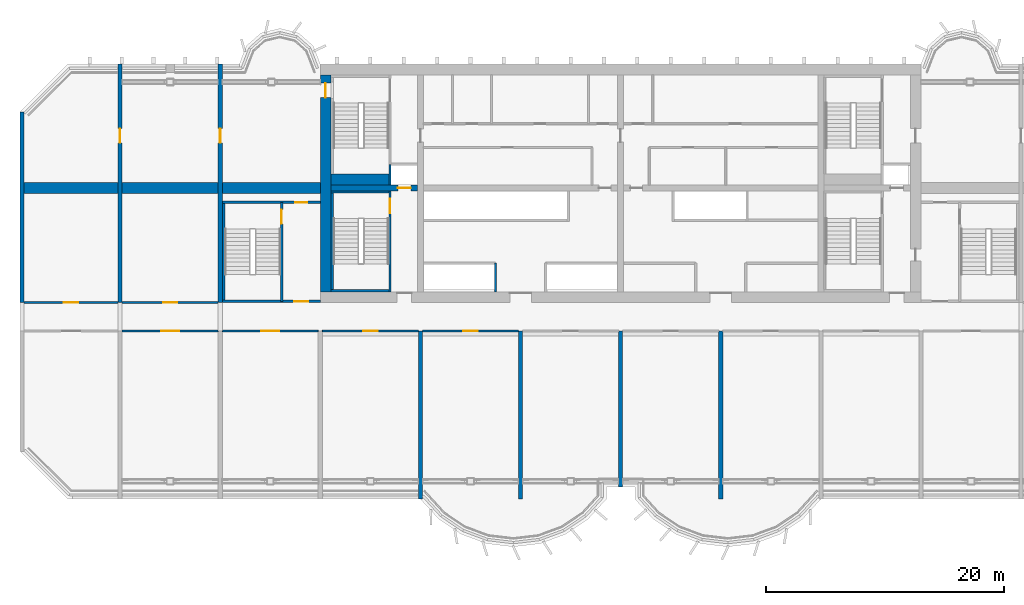
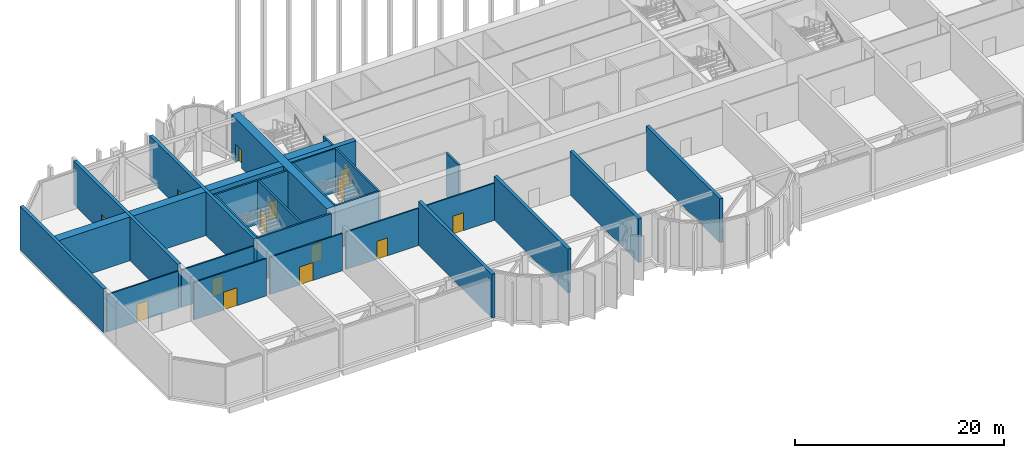
# One storey, part 5 of 17: 29 walls, 14 doors, 14 openings.
"""IFC4 building model written with IfcOpenShell, lengths in metres."""

from ifc_helpers import new_model, si_unit, direction, frame, frame_2d, origin, place, context, subcontext, project, spatial, rectangle, extrude, source, transform, mapped, material, layer, layer_set, type_object, element, fill, save


model = new_model("IFC4")

# Units and contexts
model_context = context("Model", 3, precision=1e-05, world=origin(), true_north=direction((0.0, 1.0)))
body_context = subcontext(model_context, "Body", "Model", "MODEL_VIEW")
ifc_project = project(units=[si_unit("LENGTHUNIT", "METRE"), si_unit("AREAUNIT", "SQUARE_METRE"), si_unit("VOLUMEUNIT", "CUBIC_METRE"), si_unit("PLANEANGLEUNIT", "RADIAN"), si_unit("MASSUNIT", "GRAM", prefix="KILO")], contexts=[model_context])

# Site, building, storey
site_placement = place(None, origin())
site = spatial("IfcSite", under=ifc_project, at=site_placement, CompositionType="ELEMENT")
building_placement = place(site_placement, origin())
building = spatial("IfcBuilding", under=site, at=building_placement, Name="Vanashikhar Sky Hotel", CompositionType="ELEMENT")
storey_placement = place(building_placement, frame((0.0, 0.0, 140.800048828125)))
storey = spatial("IfcBuildingStorey", under=building, at=storey_placement, Name="L34", CompositionType="ELEMENT", Elevation=140.800048828125)

# Wall, opening, door
ifc_material_1 = material(Name="Concrete M70", Category="concrete")
ifc_layer_1 = layer(ifc_material_1, 0.89990234375)
ifc_layer_set_1 = layer_set([ifc_layer_1], Name="RC core shell wall 900 Concrete M70")
wall_type_1 = type_object("IfcWallType", Name="RC core shell wall 900 Concrete M70", PredefinedType="SHEAR", material=ifc_layer_set_1)
shared_shape_1 = source(origin(), body_context, "Body", "SweptSolid", [
    extrude(rectangle(XDim=18.2001953125, YDim=0.89990234375, at=frame_2d((9.10009765625, 0.0))), origin(), (0.0, 0.0, 1.0), 5.119873046875),
])
wall_1_placement = place(storey_placement, frame((25.64990234375, 22.89990234375, 0.0), z_axis=(0.0, 0.0, 1.0), x_axis=(0.0, 1.0, 0.0)))
wall_1 = element("IfcWall", 1, at=wall_1_placement, inside=storey, type_object=wall_type_1, Name="KW-L34-KW", PredefinedType="SHEAR", context=body_context, shape_type="MappedRepresentation", body=[
    mapped(shared_shape_1, transform((0.0, 0.0, 0.0), scale=1.0)),
])
shared_shape_2 = source(origin(), body_context, "Body", "SweptSolid", [
    extrude(rectangle(XDim=1.199951171875, YDim=2.10009765625, at=frame_2d((0.60009765625, 1.050048828125))), frame((0.0, 0.4599609375, 0.0), z_axis=(0.0, -1.0, 0.0), x_axis=(1.0, 0.0, 0.0)), (0.0, 0.0, 1.0), 0.919921875),
])
opening_1_placement = place(wall_1_placement, frame((16.300048828125, 0.0, 0.0)))
opening_1 = element("IfcOpeningElement", 2, at=opening_1_placement, cuts=wall_1, Name="Opening DC-4-D", PredefinedType="OPENING", context=body_context, shape_type="MappedRepresentation", body=[
    mapped(shared_shape_2, transform((0.0, 0.0, 0.0), scale=1.0)),
])
ifc_material_2 = material(Name="Steel", Category="steel")
door_type_1 = type_object("IfcDoorType", Name="Service door 1200 FD120", OperationType="NOTDEFINED", PredefinedType="DOOR", material=ifc_material_2)
shared_shape_3 = source(origin(), body_context, "Body", "SweptSolid", [
    extrude(rectangle(XDim=1.199951171875, YDim=2.10009765625, at=frame_2d((0.60009765625, 1.050048828125))), frame((0.0, 0.02490234375, 0.0), z_axis=(0.0, -1.0, 0.0), x_axis=(1.0, 0.0, 0.0)), (0.0, 0.0, 1.0), 0.050048828125),
])
door_1_placement = place(opening_1_placement, origin())
door_1 = element("IfcDoor", 3, at=door_1_placement, inside=storey, type_object=door_type_1, Name="Service door 1200 FD120", OperationType="SINGLE_SWING_LEFT", OverallHeight=2.10009765625, OverallWidth=1.199951171875, PredefinedType="DOOR", context=body_context, shape_type="MappedRepresentation", body=[
    mapped(shared_shape_3, transform((0.0, 0.0, 0.0), scale=1.0)),
])
fill(opening_1, door_1)

ifc_layer_2 = layer(ifc_material_1, 0.5)
ifc_layer_set_2 = layer_set([ifc_layer_2], Name="RC core inner wall 500 Concrete M70")
wall_type_2 = type_object("IfcWallType", Name="RC core inner wall 500 Concrete M70", PredefinedType="SHEAR", material=ifc_layer_set_2)
shared_shape_4 = source(origin(), body_context, "Body", "SweptSolid", [
    extrude(rectangle(XDim=7.25, YDim=0.5, at=frame_2d((3.625, 0.0))), origin(), (0.0, 0.0, 1.0), 5.119873046875),
])
wall_2_placement = place(storey_placement, frame((26.10009765625, 31.60009765625, 0.0), z_axis=(0.0, 0.0, 1.0), x_axis=(1.0, 0.0, 0.0)))
wall_2 = element("IfcWall", 4, at=wall_2_placement, inside=storey, type_object=wall_type_2, Name="KW-L34-KY1", PredefinedType="SHEAR", context=body_context, shape_type="MappedRepresentation", body=[
    mapped(shared_shape_4, transform((0.0, 0.0, 0.0), scale=1.0)),
])
shared_shape_5 = source(origin(), body_context, "Body", "SweptSolid", [
    extrude(rectangle(XDim=1.10009765625, YDim=2.10009765625, at=frame_2d((0.550048828125, 1.050048828125))), frame((0.0, 0.260009765625, 0.0), z_axis=(0.0, -1.0, 0.0), x_axis=(1.0, 0.0, 0.0)), (0.0, 0.0, 1.0), 0.52001953125),
])
opening_2_placement = place(wall_2_placement, frame((5.60009765625, 0.0, 0.0)))
opening_2 = element("IfcOpeningElement", 5, at=opening_2_placement, cuts=wall_2, Name="Opening LD", PredefinedType="OPENING", context=body_context, shape_type="MappedRepresentation", body=[
    mapped(shared_shape_5, transform((0.0, 0.0, 0.0), scale=1.0)),
])
ifc_material_3 = material(Name="Stainless steel", Category="steel")
door_type_2 = type_object("IfcDoorType", Name="Lift landing door 1100", OperationType="NOTDEFINED", PredefinedType="DOOR", material=ifc_material_3)
shared_shape_6 = source(origin(), body_context, "Body", "SweptSolid", [
    extrude(rectangle(XDim=1.10009765625, YDim=2.10009765625, at=frame_2d((0.550048828125, 1.050048828125))), frame((0.0, 0.02490234375, 0.0), z_axis=(0.0, -1.0, 0.0), x_axis=(1.0, 0.0, 0.0)), (0.0, 0.0, 1.0), 0.050048828125),
])
door_2_placement = place(opening_2_placement, origin())
door_2 = element("IfcDoor", 6, at=door_2_placement, inside=storey, type_object=door_type_2, Name="Lift landing door 1100", OperationType="SLIDING_TO_RIGHT", OverallHeight=2.10009765625, OverallWidth=1.10009765625, PredefinedType="DOOR", context=body_context, shape_type="MappedRepresentation", body=[
    mapped(shared_shape_6, transform((0.0, 0.0, 0.0), scale=1.0)),
])
fill(opening_2, door_2)

# Walls
ifc_layer_3 = layer(ifc_material_1, 0.35009765625)
ifc_layer_set_3 = layer_set([ifc_layer_3], Name="RC shear wall 350 Concrete M70")
wall_type_3 = type_object("IfcWallType", Name="RC shear wall 350 Concrete M70", PredefinedType="SHEAR", material=ifc_layer_set_3)
shared_shape_7 = source(origin(), body_context, "Body", "SweptSolid", [
    extrude(rectangle(XDim=16.0, YDim=0.35009765625, at=frame_2d((8.0, 0.0))), origin(), (0.0, 0.0, 1.0), 5.119873046875),
])
wall_3_placement = place(storey_placement, frame((0.175048828125, 22.0, 0.0), z_axis=(0.0, 0.0, 1.0), x_axis=(0.0, 1.0, 0.0)))
element("IfcWall", 7, at=wall_3_placement, inside=storey, type_object=wall_type_3, Name="CW-L34-XW01-2", PredefinedType="SHEAR", context=body_context, shape_type="MappedRepresentation", body=[
    mapped(shared_shape_7, transform((0.0, 0.0, 0.0), scale=1.0)),
])
shared_shape_8 = source(origin(), body_context, "Body", "SweptSolid", [
    extrude(rectangle(XDim=14.10009765625, YDim=0.35009765625, at=frame_2d((7.050048828125, 0.0))), origin(), (0.0, 0.0, 1.0), 5.119873046875),
])
for number, where, z_axis, x_axis, name in (
    (8, (33.60009765625, 5.5, 0.0), (0.0, 0.0, 1.0), (0.0, 1.0, 0.0), "CW-L34-XW05-1"),
    (9, (42.0, 5.5, 0.0), (0.0, 0.0, 1.0), (0.0, 1.0, 0.0), "CW-L34-XW06-1"),
    (10, (58.800048828125, 5.5, 0.0), (0.0, 0.0, 1.0), (0.0, 1.0, 0.0), "CW-L34-XW08-1"),
):
    element("IfcWall", number, at=place(storey_placement, frame(where, z_axis=z_axis, x_axis=x_axis)), inside=storey, type_object=wall_type_3, Name=name, PredefinedType="SHEAR", context=body_context, shape_type="MappedRepresentation", body=[
        mapped(shared_shape_8, transform((0.0, 0.0, 0.0), scale=1.0)),
    ])

# Wall, opening, door
shared_shape_9 = source(origin(), body_context, "Body", "SweptSolid", [
    extrude(rectangle(XDim=20.0, YDim=0.35009765625, at=frame_2d((10.0, 0.0))), origin(), (0.0, 0.0, 1.0), 5.119873046875),
])
wall_4_placement = place(storey_placement, frame((8.39990234375, 22.0, 0.0), z_axis=(0.0, 0.0, 1.0), x_axis=(0.0, 1.0, 0.0)))
wall_4 = element("IfcWall", 11, at=wall_4_placement, inside=storey, type_object=wall_type_3, Name="CW-L34-XW02-2", PredefinedType="SHEAR", context=body_context, shape_type="MappedRepresentation", body=[
    mapped(shared_shape_9, transform((0.0, 0.0, 0.0), scale=1.0)),
])
shared_shape_10 = source(origin(), body_context, "Body", "SweptSolid", [
    extrude(rectangle(XDim=1.199951171875, YDim=2.10009765625, at=frame_2d((0.60009765625, 1.050048828125))), frame((0.0, 0.18505859375, 0.0), z_axis=(0.0, -1.0, 0.0), x_axis=(1.0, 0.0, 0.0)), (0.0, 0.0, 1.0), 0.3701171875),
])
opening_3_placement = place(wall_4_placement, frame((13.39990234375, 0.0, 0.0)))
opening_3 = element("IfcOpeningElement", 12, at=opening_3_placement, cuts=wall_4, Name="Opening DC-4-D", PredefinedType="OPENING", context=body_context, shape_type="MappedRepresentation", body=[
    mapped(shared_shape_10, transform((0.0, 0.0, 0.0), scale=1.0)),
])
door_3_placement = place(opening_3_placement, origin())
door_3 = element("IfcDoor", 13, at=door_3_placement, inside=storey, type_object=door_type_1, Name="Service door 1200 FD120", OperationType="SINGLE_SWING_LEFT", OverallHeight=2.10009765625, OverallWidth=1.199951171875, PredefinedType="DOOR", context=body_context, shape_type="MappedRepresentation", body=[
    mapped(shared_shape_3, transform((0.0, 0.0, 0.0), scale=1.0)),
])
fill(opening_3, door_3)

wall_5_placement = place(storey_placement, frame((16.800048828125, 22.0, 0.0), z_axis=(0.0, 0.0, 1.0), x_axis=(0.0, 1.0, 0.0)))
wall_5 = element("IfcWall", 14, at=wall_5_placement, inside=storey, type_object=wall_type_3, Name="CW-L34-XW03-2", PredefinedType="SHEAR", context=body_context, shape_type="MappedRepresentation", body=[
    mapped(shared_shape_9, transform((0.0, 0.0, 0.0), scale=1.0)),
])
opening_4_placement = place(wall_5_placement, frame((13.39990234375, 0.0, 0.0)))
opening_4 = element("IfcOpeningElement", 15, at=opening_4_placement, cuts=wall_5, Name="Opening DC-4-D", PredefinedType="OPENING", context=body_context, shape_type="MappedRepresentation", body=[
    mapped(shared_shape_10, transform((0.0, 0.0, 0.0), scale=1.0)),
])
door_4_placement = place(opening_4_placement, origin())
door_4 = element("IfcDoor", 16, at=door_4_placement, inside=storey, type_object=door_type_1, Name="Service door 1200 FD120", OperationType="SINGLE_SWING_RIGHT", OverallHeight=2.10009765625, OverallWidth=1.199951171875, PredefinedType="DOOR", context=body_context, shape_type="MappedRepresentation", body=[
    mapped(shared_shape_3, transform((0.0, 0.0, 0.0), scale=1.0)),
])
fill(opening_4, door_4)

# Walls
shared_shape_11 = source(origin(), body_context, "Body", "SweptSolid", [
    extrude(rectangle(XDim=13.10009765625, YDim=0.35009765625, at=frame_2d((6.550048828125, 0.0))), origin(), (0.0, 0.0, 1.0), 5.119873046875),
])
wall_6_placement = place(storey_placement, frame((50.39990234375, 6.5, 0.0), z_axis=(0.0, 0.0, 1.0), x_axis=(0.0, 1.0, 0.0)))
element("IfcWall", 17, at=wall_6_placement, inside=storey, type_object=wall_type_3, Name="CW-L34-XW07-1", PredefinedType="SHEAR", context=body_context, shape_type="MappedRepresentation", body=[
    mapped(shared_shape_11, transform((0.0, 0.0, 0.0), scale=1.0)),
])
ifc_layer_4 = layer(ifc_material_1, 0.89990234375)
ifc_layer_set_4 = layer_set([ifc_layer_4], Name="RC outrigger wall 900 Concrete M70")
wall_type_4 = type_object("IfcWallType", Name="RC outrigger wall 900 Concrete M70", PredefinedType="SHEAR", material=ifc_layer_set_4)
shared_shape_12 = source(origin(), body_context, "Body", "SweptSolid", [
    extrude(rectangle(XDim=7.875, YDim=0.89990234375, at=frame_2d((3.9375, 0.0))), origin(), (0.0, 0.0, 1.0), 5.119873046875),
])
wall_7_placement = place(storey_placement, frame((0.35009765625, 31.60009765625, 0.0), z_axis=(0.0, 0.0, 1.0), x_axis=(1.0, 0.0, 0.0)))
element("IfcWall", 18, at=wall_7_placement, inside=storey, type_object=wall_type_4, Name="OW-L34-01", PredefinedType="SHEAR", context=body_context, shape_type="MappedRepresentation", body=[
    mapped(shared_shape_12, transform((0.0, 0.0, 0.0), scale=1.0)),
])
shared_shape_13 = source(origin(), body_context, "Body", "SweptSolid", [
    extrude(rectangle(XDim=8.050048828125, YDim=0.89990234375, at=frame_2d((4.02490234375, 0.0))), origin(), (0.0, 0.0, 1.0), 5.119873046875),
])
wall_8_placement = place(storey_placement, frame((8.574951171875, 31.60009765625, 0.0), z_axis=(0.0, 0.0, 1.0), x_axis=(1.0, 0.0, 0.0)))
element("IfcWall", 19, at=wall_8_placement, inside=storey, type_object=wall_type_4, Name="OW-L34-02", PredefinedType="SHEAR", context=body_context, shape_type="MappedRepresentation", body=[
    mapped(shared_shape_13, transform((0.0, 0.0, 0.0), scale=1.0)),
])
shared_shape_14 = source(origin(), body_context, "Body", "SweptSolid", [
    extrude(rectangle(XDim=8.224853515625, YDim=0.89990234375, at=frame_2d((4.1123046875, 0.0))), origin(), (0.0, 0.0, 1.0), 5.119873046875),
])
wall_9_placement = place(storey_placement, frame((16.97509765625, 31.60009765625, 0.0), z_axis=(0.0, 0.0, 1.0), x_axis=(1.0, 0.0, 0.0)))
element("IfcWall", 20, at=wall_9_placement, inside=storey, type_object=wall_type_4, Name="OW-L34-03", PredefinedType="SHEAR", context=body_context, shape_type="MappedRepresentation", body=[
    mapped(shared_shape_14, transform((0.0, 0.0, 0.0), scale=1.0)),
])
ifc_material_4 = material(Name="Concrete M40", Category="concrete")
ifc_layer_5 = layer(ifc_material_4, 0.199951171875)
ifc_layer_set_5 = layer_set([ifc_layer_5], Name="Shaft wall 200")
wall_type_5 = type_object("IfcWallType", Name="Shaft wall 200", PredefinedType="SOLIDWALL", material=ifc_layer_set_5)
shared_shape_15 = source(origin(), body_context, "Body", "SweptSolid", [
    extrude(rectangle(XDim=2.400146484375, YDim=0.199951171875, at=frame_2d((1.2001953125, 0.0))), origin(), (0.0, 0.0, 1.0), 5.119873046875),
])
wall_10_placement = place(storey_placement, frame((39.89990234375, 22.89990234375, 0.0), z_axis=(0.0, 0.0, 1.0), x_axis=(0.0, 1.0, 0.0)))
element("IfcWall", 21, at=wall_10_placement, inside=storey, type_object=wall_type_5, Name="Shaft wall 200", PredefinedType="SOLIDWALL", context=body_context, shape_type="MappedRepresentation", body=[
    mapped(shared_shape_15, transform((0.0, 0.0, 0.0), scale=1.0)),
])

# Wall, opening, door
ifc_material_5 = material(Name="Concrete M50", Category="concrete")
ifc_layer_6 = layer(ifc_material_5, 0.199951171875)
ifc_layer_set_6 = layer_set([ifc_layer_6], Name="Stair wall 200")
wall_type_6 = type_object("IfcWallType", Name="Stair wall 200", PredefinedType="SOLIDWALL", material=ifc_layer_set_6)
shared_shape_16 = source(origin(), body_context, "Body", "SweptSolid", [
    extrude(rectangle(XDim=8.4501953125, YDim=0.199951171875, at=frame_2d((4.22509765625, 0.0))), origin(), (0.0, 0.0, 1.0), 5.119873046875),
])
wall_11_placement = place(storey_placement, frame((31.050048828125, 22.89990234375, 0.0), z_axis=(0.0, 0.0, 1.0), x_axis=(0.0, 1.0, 0.0)))
wall_11 = element("IfcWall", 22, at=wall_11_placement, inside=storey, type_object=wall_type_6, Name="Stair wall 200", PredefinedType="SOLIDWALL", context=body_context, shape_type="MappedRepresentation", body=[
    mapped(shared_shape_16, transform((0.0, 0.0, 0.0), scale=1.0)),
])
shared_shape_17 = source(origin(), body_context, "Body", "SweptSolid", [
    extrude(rectangle(XDim=1.199951171875, YDim=2.10009765625, at=frame_2d((0.60009765625, 1.050048828125))), frame((0.0, 0.10986328125, 0.0), z_axis=(0.0, -1.0, 0.0), x_axis=(1.0, 0.0, 0.0)), (0.0, 0.0, 1.0), 0.219970703125),
])
opening_5_placement = place(wall_11_placement, frame((6.60009765625, 0.0, 0.0)))
opening_5 = element("IfcOpeningElement", 23, at=opening_5_placement, cuts=wall_11, Name="Opening DC-1", PredefinedType="OPENING", context=body_context, shape_type="MappedRepresentation", body=[
    mapped(shared_shape_17, transform((0.0, 0.0, 0.0), scale=1.0)),
])
door_type_3 = type_object("IfcDoorType", Name="Stair door 1200 FD120", OperationType="NOTDEFINED", PredefinedType="DOOR", material=ifc_material_2)
door_5_placement = place(opening_5_placement, origin())
door_5 = element("IfcDoor", 24, at=door_5_placement, inside=storey, type_object=door_type_3, Name="Stair door 1200 FD120", OperationType="SINGLE_SWING_LEFT", OverallHeight=2.10009765625, OverallWidth=1.199951171875, PredefinedType="DOOR", context=body_context, shape_type="MappedRepresentation", body=[
    mapped(shared_shape_3, transform((0.0, 0.0, 0.0), scale=1.0)),
])
fill(opening_5, door_5)

# Wall
shared_shape_18 = source(origin(), body_context, "Body", "SweptSolid", [
    extrude(rectangle(XDim=1.75, YDim=0.199951171875, at=frame_2d((0.875, 0.0))), origin(), (0.0, 0.0, 1.0), 5.119873046875),
])
wall_12_placement = place(storey_placement, frame((31.050048828125, 31.85009765625, 0.0), z_axis=(0.0, 0.0, 1.0), x_axis=(0.0, 1.0, 0.0)))
element("IfcWall", 25, at=wall_12_placement, inside=storey, type_object=wall_type_5, Name="Shaft wall 200", PredefinedType="SOLIDWALL", context=body_context, shape_type="MappedRepresentation", body=[
    mapped(shared_shape_18, transform((0.0, 0.0, 0.0), scale=1.0)),
])

# Wall, opening, door
shared_shape_19 = source(origin(), body_context, "Body", "SweptSolid", [
    extrude(rectangle(XDim=8.2998046875, YDim=0.199951171875, at=frame_2d((4.14990234375, 0.0))), origin(), (0.0, 0.0, 1.0), 5.119873046875),
])
wall_13_placement = place(storey_placement, frame((21.949951171875, 22.10009765625, 0.0), z_axis=(0.0, 0.0, 1.0), x_axis=(0.0, 1.0, 0.0)))
wall_13 = element("IfcWall", 26, at=wall_13_placement, inside=storey, type_object=wall_type_6, Name="Stair wall 200", PredefinedType="SOLIDWALL", context=body_context, shape_type="MappedRepresentation", body=[
    mapped(shared_shape_19, transform((0.0, 0.0, 0.0), scale=1.0)),
])
opening_6_placement = place(wall_13_placement, frame((6.5, 0.0, 0.0)))
opening_6 = element("IfcOpeningElement", 27, at=opening_6_placement, cuts=wall_13, Name="Opening DC-1", PredefinedType="OPENING", context=body_context, shape_type="MappedRepresentation", body=[
    mapped(shared_shape_17, transform((0.0, 0.0, 0.0), scale=1.0)),
])
door_6_placement = place(opening_6_placement, origin())
door_6 = element("IfcDoor", 28, at=door_6_placement, inside=storey, type_object=door_type_3, Name="Stair door 1200 FD120", OperationType="SINGLE_SWING_LEFT", OverallHeight=2.10009765625, OverallWidth=1.199951171875, PredefinedType="DOOR", context=body_context, shape_type="MappedRepresentation", body=[
    mapped(shared_shape_3, transform((0.0, 0.0, 0.0), scale=1.0)),
])
fill(opening_6, door_6)

shared_shape_20 = source(origin(), body_context, "Body", "SweptSolid", [
    extrude(rectangle(XDim=8.224853515625, YDim=0.199951171875, at=frame_2d((4.1123046875, 0.0))), origin(), (0.0, 0.0, 1.0), 5.119873046875),
])
wall_14_placement = place(storey_placement, frame((16.97509765625, 22.10009765625, 0.0), z_axis=(0.0, 0.0, 1.0), x_axis=(1.0, 0.0, 0.0)))
wall_14 = element("IfcWall", 29, at=wall_14_placement, inside=storey, type_object=wall_type_6, Name="Stair wall 200", PredefinedType="SOLIDWALL", context=body_context, shape_type="MappedRepresentation", body=[
    mapped(shared_shape_20, transform((0.0, 0.0, 0.0), scale=1.0)),
])
opening_7_placement = place(wall_14_placement, frame((6.02490234375, 0.0, 0.0)))
opening_7 = element("IfcOpeningElement", 30, at=opening_7_placement, cuts=wall_14, Name="Opening DC-2", PredefinedType="OPENING", context=body_context, shape_type="MappedRepresentation", body=[
    mapped(shared_shape_17, transform((0.0, 0.0, 0.0), scale=1.0)),
])
door_type_4 = type_object("IfcDoorType", Name="Firefighting lobby door 1200 FD120", OperationType="NOTDEFINED", PredefinedType="DOOR", material=ifc_material_2)
door_7_placement = place(opening_7_placement, origin())
door_7 = element("IfcDoor", 31, at=door_7_placement, inside=storey, type_object=door_type_4, Name="Firefighting lobby door 1200 FD120", OperationType="SINGLE_SWING_LEFT", OverallHeight=2.10009765625, OverallWidth=1.199951171875, PredefinedType="DOOR", context=body_context, shape_type="MappedRepresentation", body=[
    mapped(shared_shape_3, transform((0.0, 0.0, 0.0), scale=1.0)),
])
fill(opening_7, door_7)

wall_15_placement = place(storey_placement, frame((25.199951171875, 30.39990234375, 0.0), z_axis=(0.0, 0.0, 1.0), x_axis=(-1.0, 0.0, 0.0)))
wall_15 = element("IfcWall", 32, at=wall_15_placement, inside=storey, type_object=wall_type_6, Name="Stair wall 200", PredefinedType="SOLIDWALL", context=body_context, shape_type="MappedRepresentation", body=[
    mapped(shared_shape_20, transform((0.0, 0.0, 0.0), scale=1.0)),
])
shared_shape_21 = source(origin(), body_context, "Body", "SweptSolid", [
    extrude(rectangle(XDim=1.0, YDim=2.10009765625, at=frame_2d((0.5, 1.050048828125))), frame((0.0, 0.10986328125, 0.0), z_axis=(0.0, -1.0, 0.0), x_axis=(1.0, 0.0, 0.0)), (0.0, 0.0, 1.0), 0.219970703125),
])
opening_8_placement = place(wall_15_placement, frame((1.10009765625, 0.0, 0.0)))
opening_8 = element("IfcOpeningElement", 33, at=opening_8_placement, cuts=wall_15, Name="Opening DC-6", PredefinedType="OPENING", context=body_context, shape_type="MappedRepresentation", body=[
    mapped(shared_shape_21, transform((0.0, 0.0, 0.0), scale=1.0)),
])
door_type_5 = type_object("IfcDoorType", Name="Pocket door 1000 FD60", OperationType="NOTDEFINED", PredefinedType="DOOR", material=ifc_material_2)
shared_shape_22 = source(origin(), body_context, "Body", "SweptSolid", [
    extrude(rectangle(XDim=1.0, YDim=2.10009765625, at=frame_2d((0.5, 1.050048828125))), frame((0.0, 0.02490234375, 0.0), z_axis=(0.0, -1.0, 0.0), x_axis=(1.0, 0.0, 0.0)), (0.0, 0.0, 1.0), 0.050048828125),
])
door_8_placement = place(opening_8_placement, origin())
door_8 = element("IfcDoor", 34, at=door_8_placement, inside=storey, type_object=door_type_5, Name="Pocket door 1000 FD60", OperationType="SINGLE_SWING_LEFT", OverallHeight=2.10009765625, OverallWidth=1.0, PredefinedType="DOOR", context=body_context, shape_type="MappedRepresentation", body=[
    mapped(shared_shape_22, transform((0.0, 0.0, 0.0), scale=1.0)),
])
fill(opening_8, door_8)

# Walls
ifc_layer_7 = layer(ifc_material_5, 0.199951171875)
ifc_layer_set_7 = layer_set([ifc_layer_7], Name="Stair infill wall 200")
wall_type_7 = type_object("IfcWallType", Name="Stair infill wall 200", PredefinedType="SOLIDWALL", material=ifc_layer_set_7)
shared_shape_23 = source(origin(), body_context, "Body", "SweptSolid", [
    extrude(rectangle(XDim=4.849853515625, YDim=0.199951171875, at=frame_2d((2.4248046875, 0.0))), origin(), (0.0, 0.0, 1.0), 5.119873046875),
])
wall_16_placement = place(storey_placement, frame((26.10009765625, 23.0, 0.0), z_axis=(0.0, 0.0, 1.0), x_axis=(1.0, 0.0, 0.0)))
element("IfcWall", 35, at=wall_16_placement, inside=storey, type_object=wall_type_7, Name="Stair infill wall 200", PredefinedType="SOLIDWALL", context=body_context, shape_type="MappedRepresentation", body=[
    mapped(shared_shape_23, transform((0.0, 0.0, 0.0), scale=1.0)),
])
ifc_layer_8 = layer(ifc_material_5, 0.14990234375)
ifc_layer_set_8 = layer_set([ifc_layer_8], Name="Stair infill wall 150")
wall_type_8 = type_object("IfcWallType", Name="Stair infill wall 150", PredefinedType="SOLIDWALL", material=ifc_layer_set_8)
shared_shape_24 = source(origin(), body_context, "Body", "SweptSolid", [
    extrude(rectangle(XDim=4.849853515625, YDim=0.14990234375, at=frame_2d((2.4248046875, 0.0))), origin(), (0.0, 0.0, 1.0), 5.119873046875),
])
wall_17_placement = place(storey_placement, frame((26.10009765625, 31.27490234375, 0.0), z_axis=(0.0, 0.0, 1.0), x_axis=(1.0, 0.0, 0.0)))
element("IfcWall", 36, at=wall_17_placement, inside=storey, type_object=wall_type_8, Name="Stair infill wall 150", PredefinedType="SOLIDWALL", context=body_context, shape_type="MappedRepresentation", body=[
    mapped(shared_shape_24, transform((0.0, 0.0, 0.0), scale=1.0)),
])
shared_shape_25 = source(origin(), body_context, "Body", "SweptSolid", [
    extrude(rectangle(XDim=8.099853515625, YDim=0.199951171875, at=frame_2d((4.0498046875, 0.0))), origin(), (0.0, 0.0, 1.0), 5.119873046875),
])
wall_18_placement = place(storey_placement, frame((26.199951171875, 23.10009765625, 0.0), z_axis=(0.0, 0.0, 1.0), x_axis=(0.0, 1.0, 0.0)))
element("IfcWall", 37, at=wall_18_placement, inside=storey, type_object=wall_type_7, Name="Stair infill wall 200", PredefinedType="SOLIDWALL", context=body_context, shape_type="MappedRepresentation", body=[
    mapped(shared_shape_25, transform((0.0, 0.0, 0.0), scale=1.0)),
])
ifc_layer_9 = layer(ifc_material_5, 0.22509765625)
ifc_layer_set_9 = layer_set([ifc_layer_9], Name="Stair infill wall 225")
wall_type_9 = type_object("IfcWallType", Name="Stair infill wall 225", PredefinedType="SOLIDWALL", material=ifc_layer_set_9)
shared_shape_26 = source(origin(), body_context, "Body", "SweptSolid", [
    extrude(rectangle(XDim=8.10009765625, YDim=0.22509765625, at=frame_2d((4.050048828125, 0.0))), origin(), (0.0, 0.0, 1.0), 5.119873046875),
])
wall_19_placement = place(storey_placement, frame((17.0869140625, 22.199951171875, 0.0), z_axis=(0.0, 0.0, 1.0), x_axis=(0.0, 1.0, 0.0)))
element("IfcWall", 38, at=wall_19_placement, inside=storey, type_object=wall_type_9, Name="Stair infill wall 225", PredefinedType="SOLIDWALL", context=body_context, shape_type="MappedRepresentation", body=[
    mapped(shared_shape_26, transform((0.0, 0.0, 0.0), scale=1.0)),
])
ifc_layer_10 = layer(ifc_material_5, 0.949951171875)
ifc_layer_set_10 = layer_set([ifc_layer_10], Name="Stair infill wall 950")
wall_type_10 = type_object("IfcWallType", Name="Stair infill wall 950", PredefinedType="SOLIDWALL", material=ifc_layer_set_10)
shared_shape_27 = source(origin(), body_context, "Body", "SweptSolid", [
    extrude(rectangle(XDim=4.849853515625, YDim=0.949951171875, at=frame_2d((2.4248046875, 0.0))), origin(), (0.0, 0.0, 1.0), 5.119873046875),
])
wall_20_placement = place(storey_placement, frame((26.10009765625, 32.324951171875, 0.0), z_axis=(0.0, 0.0, 1.0), x_axis=(1.0, 0.0, 0.0)))
element("IfcWall", 39, at=wall_20_placement, inside=storey, type_object=wall_type_10, Name="Stair infill wall 950", PredefinedType="SOLIDWALL", context=body_context, shape_type="MappedRepresentation", body=[
    mapped(shared_shape_27, transform((0.0, 0.0, 0.0), scale=1.0)),
])

# Wall, opening, door
ifc_material_6 = material(Name="Gypsum board partition")
ifc_layer_11 = layer(ifc_material_6, 0.14990234375)
ifc_layer_set_11 = layer_set([ifc_layer_11], Name="Service partition 150")
wall_type_11 = type_object("IfcWallType", Name="Service partition 150", PredefinedType="PARTITIONING", material=ifc_layer_set_11)
shared_shape_28 = source(origin(), body_context, "Body", "SweptSolid", [
    extrude(rectangle(XDim=7.875, YDim=0.14990234375, at=frame_2d((3.9375, 0.0))), origin(), (0.0, 0.0, 1.0), 4.369873046875),
])
wall_21_placement = place(storey_placement, frame((0.35009765625, 22.0, 0.0), z_axis=(0.0, 0.0, 1.0), x_axis=(1.0, 0.0, 0.0)))
wall_21 = element("IfcWall", 40, at=wall_21_placement, inside=storey, type_object=wall_type_11, Name="Service partition 150", PredefinedType="PARTITIONING", context=body_context, shape_type="MappedRepresentation", body=[
    mapped(shared_shape_28, transform((0.0, 0.0, 0.0), scale=1.0)),
])
shared_shape_29 = source(origin(), body_context, "Body", "SweptSolid", [
    extrude(rectangle(XDim=1.199951171875, YDim=2.10009765625, at=frame_2d((0.60009765625, 1.050048828125))), frame((0.0, 0.0849609375, 0.0), z_axis=(0.0, -1.0, 0.0), x_axis=(1.0, 0.0, 0.0)), (0.0, 0.0, 1.0), 0.169921875),
])
opening_9_placement = place(wall_21_placement, frame((3.3369140625, 0.0, 0.0)))
opening_9 = element("IfcOpeningElement", 41, at=opening_9_placement, cuts=wall_21, Name="Opening DC-4-D", PredefinedType="OPENING", context=body_context, shape_type="MappedRepresentation", body=[
    mapped(shared_shape_29, transform((0.0, 0.0, 0.0), scale=1.0)),
])
door_9_placement = place(opening_9_placement, origin())
door_9 = element("IfcDoor", 42, at=door_9_placement, inside=storey, type_object=door_type_1, Name="Service door 1200 FD120", OperationType="SINGLE_SWING_RIGHT", OverallHeight=2.10009765625, OverallWidth=1.199951171875, PredefinedType="DOOR", context=body_context, shape_type="MappedRepresentation", body=[
    mapped(shared_shape_3, transform((0.0, 0.0, 0.0), scale=1.0)),
])
fill(opening_9, door_9)

shared_shape_30 = source(origin(), body_context, "Body", "SweptSolid", [
    extrude(rectangle(XDim=8.050048828125, YDim=0.14990234375, at=frame_2d((4.02490234375, 0.0))), origin(), (0.0, 0.0, 1.0), 4.369873046875),
])
wall_22_placement = place(storey_placement, frame((8.574951171875, 19.60009765625, 0.0), z_axis=(0.0, 0.0, 1.0), x_axis=(1.0, 0.0, 0.0)))
wall_22 = element("IfcWall", 43, at=wall_22_placement, inside=storey, type_object=wall_type_11, Name="Service partition 150", PredefinedType="PARTITIONING", context=body_context, shape_type="MappedRepresentation", body=[
    mapped(shared_shape_30, transform((0.0, 0.0, 0.0), scale=1.0)),
])
shared_shape_31 = source(origin(), body_context, "Body", "SweptSolid", [
    extrude(rectangle(XDim=1.5, YDim=2.10009765625, at=frame_2d((0.75, 1.050048828125))), frame((0.0, 0.0849609375, 0.0), z_axis=(0.0, -1.0, 0.0), x_axis=(1.0, 0.0, 0.0)), (0.0, 0.0, 1.0), 0.169921875),
])
opening_10_placement = place(wall_22_placement, frame((3.27490234375, 0.0, 0.0)))
opening_10 = element("IfcOpeningElement", 44, at=opening_10_placement, cuts=wall_22, Name="Opening DC-4-E", PredefinedType="OPENING", context=body_context, shape_type="MappedRepresentation", body=[
    mapped(shared_shape_31, transform((0.0, 0.0, 0.0), scale=1.0)),
])
door_type_6 = type_object("IfcDoorType", Name="Service door 1500 FD60", OperationType="NOTDEFINED", PredefinedType="DOOR", material=ifc_material_2)
shared_shape_32 = source(origin(), body_context, "Body", "SweptSolid", [
    extrude(rectangle(XDim=1.5, YDim=2.10009765625, at=frame_2d((0.75, 1.050048828125))), frame((0.0, 0.02490234375, 0.0), z_axis=(0.0, -1.0, 0.0), x_axis=(1.0, 0.0, 0.0)), (0.0, 0.0, 1.0), 0.050048828125),
])
door_10_placement = place(opening_10_placement, origin())
door_10 = element("IfcDoor", 45, at=door_10_placement, inside=storey, type_object=door_type_6, Name="Service door 1500 FD60", OperationType="SINGLE_SWING_RIGHT", OverallHeight=2.10009765625, OverallWidth=1.5, PredefinedType="DOOR", context=body_context, shape_type="MappedRepresentation", body=[
    mapped(shared_shape_32, transform((0.0, 0.0, 0.0), scale=1.0)),
])
fill(opening_10, door_10)

wall_23_placement = place(storey_placement, frame((25.375, 19.60009765625, 0.0), z_axis=(0.0, 0.0, 1.0), x_axis=(1.0, 0.0, 0.0)))
wall_23 = element("IfcWall", 46, at=wall_23_placement, inside=storey, type_object=wall_type_11, Name="Service partition 150", PredefinedType="PARTITIONING", context=body_context, shape_type="MappedRepresentation", body=[
    mapped(shared_shape_30, transform((0.0, 0.0, 0.0), scale=1.0)),
])
opening_11_placement = place(wall_23_placement, frame((3.425048828125, 0.0, 0.0)))
opening_11 = element("IfcOpeningElement", 47, at=opening_11_placement, cuts=wall_23, Name="Opening DC-4-D", PredefinedType="OPENING", context=body_context, shape_type="MappedRepresentation", body=[
    mapped(shared_shape_29, transform((0.0, 0.0, 0.0), scale=1.0)),
])
door_11_placement = place(opening_11_placement, origin())
door_11 = element("IfcDoor", 48, at=door_11_placement, inside=storey, type_object=door_type_1, Name="Service door 1200 FD120", OperationType="SINGLE_SWING_RIGHT", OverallHeight=2.10009765625, OverallWidth=1.199951171875, PredefinedType="DOOR", context=body_context, shape_type="MappedRepresentation", body=[
    mapped(shared_shape_3, transform((0.0, 0.0, 0.0), scale=1.0)),
])
fill(opening_11, door_11)

wall_24_placement = place(storey_placement, frame((33.77490234375, 19.60009765625, 0.0), z_axis=(0.0, 0.0, 1.0), x_axis=(1.0, 0.0, 0.0)))
wall_24 = element("IfcWall", 49, at=wall_24_placement, inside=storey, type_object=wall_type_11, Name="Service partition 150", PredefinedType="PARTITIONING", context=body_context, shape_type="MappedRepresentation", body=[
    mapped(shared_shape_30, transform((0.0, 0.0, 0.0), scale=1.0)),
])
opening_12_placement = place(wall_24_placement, frame((3.425048828125, 0.0, 0.0)))
opening_12 = element("IfcOpeningElement", 50, at=opening_12_placement, cuts=wall_24, Name="Opening DC-4-D", PredefinedType="OPENING", context=body_context, shape_type="MappedRepresentation", body=[
    mapped(shared_shape_29, transform((0.0, 0.0, 0.0), scale=1.0)),
])
door_12_placement = place(opening_12_placement, origin())
door_12 = element("IfcDoor", 51, at=door_12_placement, inside=storey, type_object=door_type_1, Name="Service door 1200 FD120", OperationType="SINGLE_SWING_LEFT", OverallHeight=2.10009765625, OverallWidth=1.199951171875, PredefinedType="DOOR", context=body_context, shape_type="MappedRepresentation", body=[
    mapped(shared_shape_3, transform((0.0, 0.0, 0.0), scale=1.0)),
])
fill(opening_12, door_12)

wall_25_placement = place(storey_placement, frame((8.574951171875, 22.0, 0.0), z_axis=(0.0, 0.0, 1.0), x_axis=(1.0, 0.0, 0.0)))
wall_25 = element("IfcWall", 52, at=wall_25_placement, inside=storey, type_object=wall_type_11, Name="Service partition 150", PredefinedType="PARTITIONING", context=body_context, shape_type="MappedRepresentation", body=[
    mapped(shared_shape_30, transform((0.0, 0.0, 0.0), scale=1.0)),
])
opening_13_placement = place(wall_25_placement, frame((3.425048828125, 0.0, 0.0)))
opening_13 = element("IfcOpeningElement", 53, at=opening_13_placement, cuts=wall_25, Name="Opening DC-4-D", PredefinedType="OPENING", context=body_context, shape_type="MappedRepresentation", body=[
    mapped(shared_shape_29, transform((0.0, 0.0, 0.0), scale=1.0)),
])
door_13_placement = place(opening_13_placement, origin())
door_13 = element("IfcDoor", 54, at=door_13_placement, inside=storey, type_object=door_type_1, Name="Service door 1200 FD120", OperationType="SINGLE_SWING_RIGHT", OverallHeight=2.10009765625, OverallWidth=1.199951171875, PredefinedType="DOOR", context=body_context, shape_type="MappedRepresentation", body=[
    mapped(shared_shape_3, transform((0.0, 0.0, 0.0), scale=1.0)),
])
fill(opening_13, door_13)

shared_shape_33 = source(origin(), body_context, "Body", "SweptSolid", [
    extrude(rectangle(XDim=8.0498046875, YDim=0.14990234375, at=frame_2d((4.02490234375, 0.0))), origin(), (0.0, 0.0, 1.0), 4.369873046875),
])
wall_26_placement = place(storey_placement, frame((16.97509765625, 19.60009765625, 0.0), z_axis=(0.0, 0.0, 1.0), x_axis=(1.0, 0.0, 0.0)))
wall_26 = element("IfcWall", 55, at=wall_26_placement, inside=storey, type_object=wall_type_11, Name="Service partition 150", PredefinedType="PARTITIONING", context=body_context, shape_type="MappedRepresentation", body=[
    mapped(shared_shape_33, transform((0.0, 0.0, 0.0), scale=1.0)),
])
opening_14_placement = place(wall_26_placement, frame((3.27490234375, 0.0, 0.0)))
opening_14 = element("IfcOpeningElement", 56, at=opening_14_placement, cuts=wall_26, Name="Opening DC-4-E", PredefinedType="OPENING", context=body_context, shape_type="MappedRepresentation", body=[
    mapped(shared_shape_31, transform((0.0, 0.0, 0.0), scale=1.0)),
])
door_14_placement = place(opening_14_placement, origin())
door_14 = element("IfcDoor", 57, at=door_14_placement, inside=storey, type_object=door_type_6, Name="Service door 1500 FD60", OperationType="SINGLE_SWING_LEFT", OverallHeight=2.10009765625, OverallWidth=1.5, PredefinedType="DOOR", context=body_context, shape_type="MappedRepresentation", body=[
    mapped(shared_shape_32, transform((0.0, 0.0, 0.0), scale=1.0)),
])
fill(opening_14, door_14)

save(model, "model.ifc")
